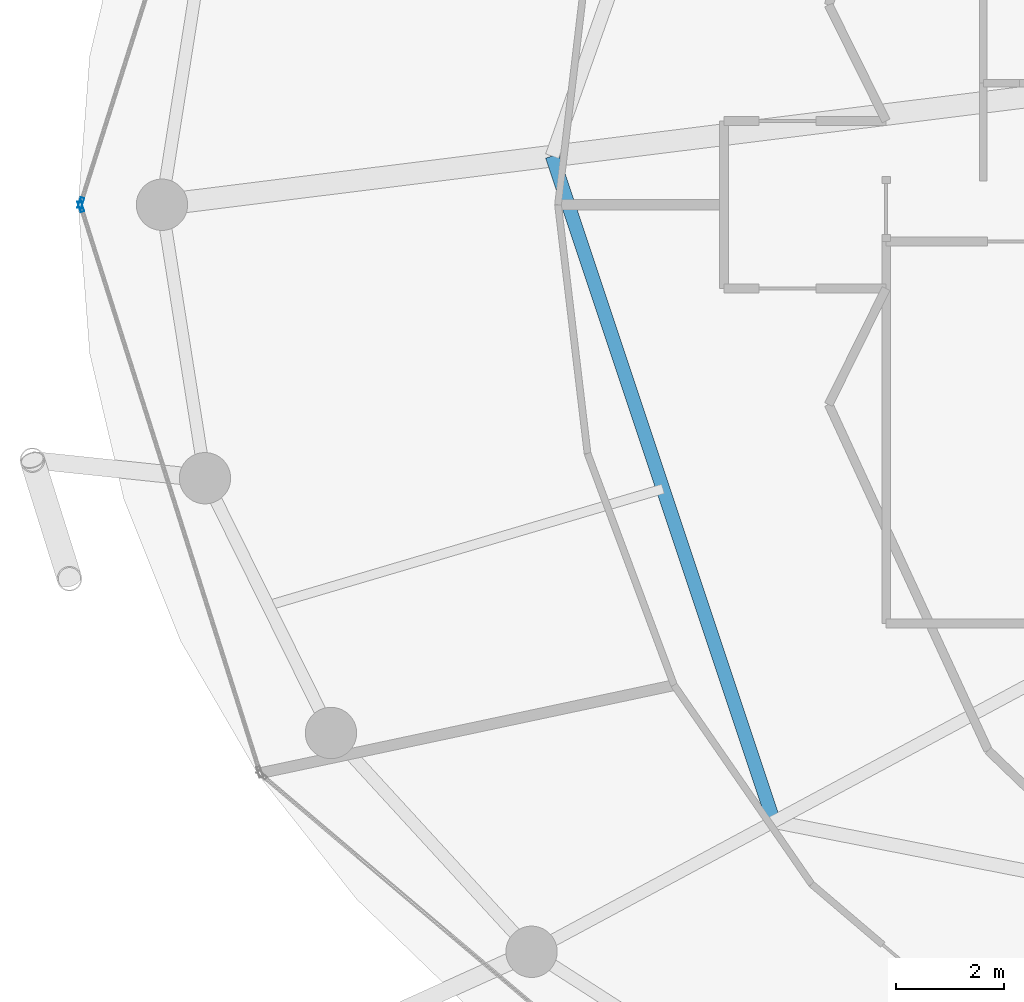
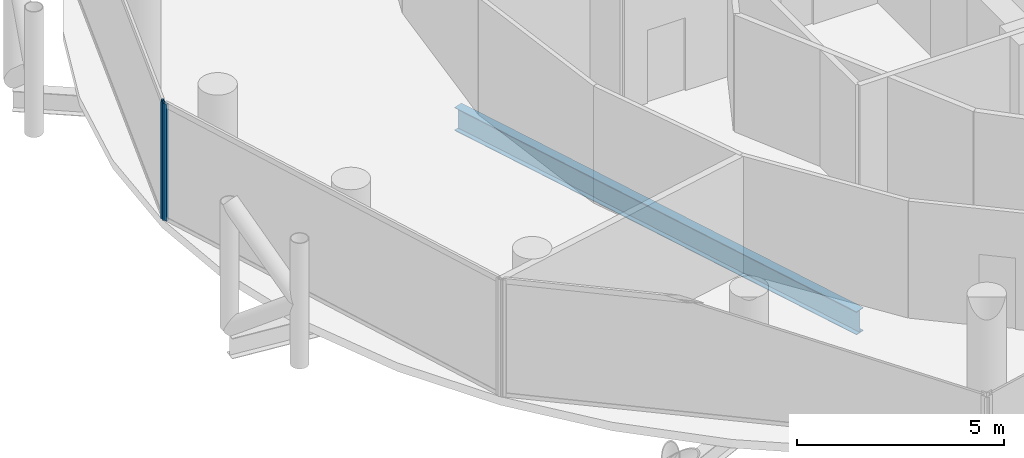
# One storey, part 6 of 26: 2 members, 1 beam, 2 elements without a shape of their own.
"""IFC4 building model written with IfcOpenShell, lengths in metres."""

import ifcopenshell
import ifcopenshell.guid

model = None  # the IFC model being written
_history = None  # IfcOwnerHistory: only IFC2X3 demands one
_inside = {}  # id of a spatial element -> (the spatial element, [elements in it])
_under = {}  # id of a project, library or spatial element -> (it, [spatial elements below it])
_declared = {}  # id of a project -> (the project, [libraries it declares])
_typed = {}  # id of a type object -> (the type object, [elements of that type])
_made_of = {}  # id of a material, layer set ... -> (it, [elements and type objects made of it])


def new_model(schema):
    """Start an empty IFC model of exactly this schema.

    Asked for "IFC4X3", IfcOpenShell would pick the latest addendum, in which some entities
    have other attributes; the version numbers below select the first issue.
    IFC2X3 requires an IfcOwnerHistory on every rooted entity: one is made here for all.
    """
    global model, _history
    if schema == "IFC4X3":
        model = ifcopenshell.file(schema_version=(4, 3, 0, 0))
    else:
        model = ifcopenshell.file(schema=schema)
    _inside.clear()
    _under.clear()
    _declared.clear()
    _typed.clear()
    _made_of.clear()
    _history = None
    if model.schema == "IFC2X3":
        org = make("IfcOrganization", Name="unknown")
        user = make(
            "IfcPersonAndOrganization",
            ThePerson=make("IfcPerson", FamilyName="unknown"),
            TheOrganization=org,
        )
        app = make(
            "IfcApplication",
            ApplicationDeveloper=org,
            Version="unknown",
            ApplicationFullName="unknown",
            ApplicationIdentifier="unknown",
        )
        _history = make(
            "IfcOwnerHistory",
            OwningUser=user,
            OwningApplication=app,
            ChangeAction="ADDED",
            CreationDate=0,
        )
    return model


def make(cls, **values):
    """One entity of the class cls with the attributes given. An attribute that is None is left unset."""
    return model.create_entity(
        cls, **{name: value for name, value in values.items() if value is not None}
    )


def rooted(cls, **values):
    """An entity with a GlobalId (a new one), such as an element, a storey or a relation."""
    return make(cls, GlobalId=ifcopenshell.guid.new(), OwnerHistory=_history, **values)


def si_unit(unit_type, name, prefix=None):
    """IfcSIUnit, for example si_unit("LENGTHUNIT", "METRE", prefix="MILLI")."""
    return make("IfcSIUnit", UnitType=unit_type, Prefix=prefix, Name=name)


def assignment(units):
    """IfcUnitAssignment: the units of a project."""
    return None if units is None else make("IfcUnitAssignment", Units=units)


def point(xyz):
    """IfcCartesianPoint."""
    return None if xyz is None else make("IfcCartesianPoint", Coordinates=xyz)


def direction(xyz):
    """IfcDirection."""
    return None if xyz is None else make("IfcDirection", DirectionRatios=xyz)


def frame(location, z_axis=None, x_axis=None):
    """IfcAxis2Placement3D, a coordinate frame: its origin and axes. An axis left out is left unset."""
    return make(
        "IfcAxis2Placement3D",
        Location=point(location),
        Axis=direction(z_axis),
        RefDirection=direction(x_axis),
    )


def frame_2d(location, x_axis=None):
    """IfcAxis2Placement2D, a coordinate frame in the plane: its origin and x axis."""
    return make(
        "IfcAxis2Placement2D", Location=point(location), RefDirection=direction(x_axis)
    )


def origin():
    """The frame at (0, 0, 0) with its axes left unset."""
    return frame((0.0, 0.0, 0.0))


def origin_2d():
    """The frame at (0, 0) in the plane with its x axis left unset."""
    return frame_2d((0.0, 0.0))


def place(relative_to, where):
    """IfcLocalPlacement: puts the frame where relative to a parent placement (None: the world)."""
    return make(
        "IfcLocalPlacement", PlacementRelTo=relative_to, RelativePlacement=where
    )


def context(
    kind, dimensions, precision=None, world=None, true_north=None, identifier=None
):
    """IfcGeometricRepresentationContext, for example the 3D "Model" context."""
    return make(
        "IfcGeometricRepresentationContext",
        ContextIdentifier=identifier,
        ContextType=kind,
        CoordinateSpaceDimension=dimensions,
        Precision=precision,
        WorldCoordinateSystem=world,
        TrueNorth=true_north,
    )


def subcontext(parent, identifier, kind, view, scale=None):
    """IfcGeometricRepresentationSubContext, for example "Body" below "Model"."""
    return make(
        "IfcGeometricRepresentationSubContext",
        ContextIdentifier=identifier,
        ContextType=kind,
        ParentContext=parent,
        TargetScale=scale,
        TargetView=view,
    )


def project(units=None, contexts=None):
    """IfcProject with its units and contexts."""
    return rooted(
        "IfcProject",
        Name="project",
        RepresentationContexts=contexts,
        UnitsInContext=assignment(units),
    )


def spatial(cls, under=None, at=None, **own):
    """A site, building, storey or space (cls), placed at a placement, below another one or the project."""
    s = rooted(cls, ObjectPlacement=at, **own)
    if under is not None:
        _under.setdefault(under.id(), (under, []))[1].append(s)
    return s


def profile(cls, at=None, kind="AREA", **sizes):
    """A parametric profile (cls). Its sizes go by their IFC names, for example OverallWidth=200.0."""
    return make(cls, ProfileType=kind, Position=at, **sizes)


def hollow_rectangle(**sizes):
    """IfcRectangleHollowProfileDef."""
    return profile("IfcRectangleHollowProfileDef", **sizes)


def i_section(**sizes):
    """IfcIShapeProfileDef."""
    return profile("IfcIShapeProfileDef", **sizes)


def extrude(swept, where, along, depth):
    """IfcExtrudedAreaSolid: the profile swept, set in the frame where, extruded along a direction by depth."""
    return make(
        "IfcExtrudedAreaSolid",
        SweptArea=swept,
        Position=where,
        ExtrudedDirection=direction(along),
        Depth=depth,
    )


def shape(context_of_items, identifier, shape_type, items):
    """IfcShapeRepresentation: the items that make up one representation, for example the "Body"."""
    return make(
        "IfcShapeRepresentation",
        ContextOfItems=context_of_items,
        RepresentationIdentifier=identifier,
        RepresentationType=shape_type,
        Items=items,
    )


def material(Name=None, Category=None):
    """IfcMaterial."""
    return make("IfcMaterial", Name=Name, Category=Category)


def layer(
    of_material, thickness, ventilated=None, Name=None, Category=None, Priority=None
):
    """IfcMaterialLayer: one layer of a wall or slab, of a material (None: an air gap)."""
    return make(
        "IfcMaterialLayer",
        Material=of_material,
        LayerThickness=thickness,
        IsVentilated=ventilated,
        Name=Name,
        Category=Category,
        Priority=Priority,
    )


def layer_set(layers, Name=None):
    """IfcMaterialLayerSet."""
    return make("IfcMaterialLayerSet", MaterialLayers=layers, LayerSetName=Name)


def material_profile(
    of_material, cross_section, Name=None, Category=None, Priority=None
):
    """IfcMaterialProfile: a cross section and its material."""
    return make(
        "IfcMaterialProfile",
        Name=Name,
        Material=of_material,
        Profile=cross_section,
        Priority=Priority,
        Category=Category,
    )


def profile_set(profiles, Name=None, composite=None):
    """IfcMaterialProfileSet."""
    return make(
        "IfcMaterialProfileSet",
        Name=Name,
        MaterialProfiles=profiles,
        CompositeProfile=composite,
    )


def made_of(thing, what):
    """Note that an element or type object is made of a material, layer set ...; save() writes the relation."""
    if what is not None:
        _made_of.setdefault(what.id(), (what, []))[1].append(thing)
    return thing


def type_object(cls, material=None, **own):
    """A type object (cls), such as IfcWallType, which elements share."""
    return made_of(rooted(cls, **own), material)


def element(
    cls,
    number,
    at=None,
    inside=None,
    cuts=None,
    type_object=None,
    material=None,
    context=None,
    identifier="Body",
    shape_type=None,
    held_by="IfcProductDefinitionShape",
    body=None,
    shapes=None,
    **own,
):
    """One element of the class cls, such as IfcWall. Its Tag is "e" and its number.

    at: its placement. inside: the storey or other place that contains it. cuts: it is an
    opening in that element (IfcRelVoidsElement). A single representation is given by context,
    identifier, shape_type and body (its items); several are given by shapes. held_by: the class
    of the entity that holds the representations. save() writes the other relations.
    """
    e = rooted(cls, Tag="e%d" % number, ObjectPlacement=at, **own)
    if body is not None:
        shapes = [shape(context, identifier, shape_type, body)]
    if shapes is not None:
        e.Representation = make(held_by, Representations=shapes)
    if inside is not None:
        _inside.setdefault(inside.id(), (inside, []))[1].append(e)
    if cuts is not None:
        rooted(
            "IfcRelVoidsElement", RelatingBuildingElement=cuts, RelatedOpeningElement=e
        )
    if type_object is not None:
        _typed.setdefault(type_object.id(), (type_object, []))[1].append(e)
    return made_of(e, material)


def aggregate(whole, parts):
    """IfcRelAggregates: a whole, such as a stair, and the parts it consists of."""
    return rooted("IfcRelAggregates", RelatingObject=whole, RelatedObjects=parts)


def save(model, path):
    """Write the relations noted so far, then the file.

    IfcRelAggregates (storeys below a building ...), IfcRelContainedInSpatialStructure (elements
    in a storey), IfcRelDefinesByType, IfcRelAssociatesMaterial and IfcRelDeclares: one each for
    every whole, place, type object, material and project.
    """
    for whole, parts in _under.values():
        aggregate(whole, parts)
    for where, things in _inside.values():
        rooted(
            "IfcRelContainedInSpatialStructure",
            RelatedElements=things,
            RelatingStructure=where,
        )
    for kind, things in _typed.values():
        rooted("IfcRelDefinesByType", RelatedObjects=things, RelatingType=kind)
    for what, things in _made_of.values():
        rooted("IfcRelAssociatesMaterial", RelatedObjects=things, RelatingMaterial=what)
    for by, libraries in _declared.values():
        rooted("IfcRelDeclares", RelatingContext=by, RelatedDefinitions=libraries)
    model.write(path)


model = new_model("IFC4")

# Units and contexts
model_context = context("Model", 3, precision=1e-05, world=origin(), true_north=direction((0.0, 1.0)))
body_context = subcontext(model_context, "Body", "Model", "MODEL_VIEW")
ifc_project = project(units=[si_unit("LENGTHUNIT", "METRE"), si_unit("AREAUNIT", "SQUARE_METRE"), si_unit("VOLUMEUNIT", "CUBIC_METRE"), si_unit("PLANEANGLEUNIT", "RADIAN"), si_unit("MASSUNIT", "GRAM", prefix="KILO")], contexts=[model_context])

# Site, building, storey
site_placement = place(None, origin())
site = spatial("IfcSite", under=ifc_project, at=site_placement, CompositionType="ELEMENT")
building_placement = place(site_placement, origin())
building = spatial("IfcBuilding", under=site, at=building_placement, Name="Nuhasar Tower", CompositionType="ELEMENT")
storey_placement = place(building_placement, frame((0.0, 0.0, 188.550048828125)))
storey = spatial("IfcBuildingStorey", under=building, at=storey_placement, Name="L46", CompositionType="ELEMENT", Elevation=188.550048828125)

# Beam
ifc_material_1 = material(Name="Steel S355", Category="steel")
ifc_material_profile_1 = material_profile(ifc_material_1, i_section(OverallWidth=0.25390625, OverallDepth=0.68408203125, WebThickness=0.012451171875, FlangeThickness=0.018798828125, at=origin_2d()), Name="W27X94")
ifc_profile_set_1 = profile_set([ifc_material_profile_1], Name="Steel S355")
beam_type = type_object("IfcBeamType", Name="BM-INRING-W27X94", PredefinedType="BEAM", material=ifc_profile_set_1)
beam_placement = place(storey_placement, frame((22.8701171875, 27.699951171875, -0.592041015625), z_axis=(0.31609797573, -0.948726551615, 0.0), x_axis=(0.948726551615, 0.31609797573, 0.0)))
element("IfcBeam", 1, at=beam_placement, inside=storey, type_object=beam_type, Name="L46 Inner Header Beam 08", PredefinedType="BEAM", context=body_context, shape_type="SweptSolid", body=[
    extrude(i_section(OverallWidth=0.25390625, OverallDepth=0.68408203125, WebThickness=0.012451171875, FlangeThickness=0.018798828125, at=origin_2d()), origin(), (0.0, 0.0, 1.0), 12.9794921875),
])

# Curtain wall, member
ifc_material_2 = material(Name="Aluminium 6063-T6", Category="aluminium")
ifc_layer = layer(ifc_material_2, 0.199951171875)
ifc_layer_set = layer_set([ifc_layer], Name="Aluminium 6063-T6")
curtain_wall_type = type_object("IfcCurtainWallType", Name="CW-Z2-HTL", PredefinedType="NOTDEFINED", material=ifc_layer_set)
curtain_wall_1_placement = place(storey_placement, origin())
curtain_wall_1 = element("IfcCurtainWall", 2, at=curtain_wall_1_placement, inside=storey, type_object=curtain_wall_type, Name="L46 Unitised Curtain Wall 06", PredefinedType="NOTDEFINED")
ifc_material_profile_2 = material_profile(ifc_material_2, hollow_rectangle(XDim=0.070068359375, YDim=0.199951171875, WallThickness=0.0048828125, at=origin_2d()), Name="CWM-3")
ifc_profile_set_2 = profile_set([ifc_material_profile_2], Name="Aluminium 6063-T6")
member_type = type_object("IfcMemberType", Name="CW-MUL-S3", PredefinedType="MULLION", material=ifc_profile_set_2)
member_1_placement = place(storey_placement, frame((14.150634765625, 26.833251953125, 0.0), z_axis=(0.0, 0.0, 1.0), x_axis=(0.953433389233, -0.301603667577, 0.0)))
member_1 = element("IfcMember", 3, at=member_1_placement, type_object=member_type, Name="CW-Z2 mullion 2", PredefinedType="MULLION", context=body_context, shape_type="SweptSolid", body=[
    extrude(hollow_rectangle(XDim=0.070068359375, YDim=0.199951171875, WallThickness=0.0048828125, at=origin_2d()), origin(), (0.0, 0.0, 1.0), 3.449951171875),
])
aggregate(curtain_wall_1, [member_1])

curtain_wall_2_placement = place(storey_placement, origin())
curtain_wall_2 = element("IfcCurtainWall", 4, at=curtain_wall_2_placement, inside=storey, type_object=curtain_wall_type, Name="L46 Unitised Curtain Wall 07", PredefinedType="NOTDEFINED")
member_2_placement = place(storey_placement, frame((14.150634765625, 26.7666015625, 0.0), z_axis=(0.0, 0.0, 1.0), x_axis=(0.953433389233, 0.301603667577, 0.0)))
member_2 = element("IfcMember", 5, at=member_2_placement, type_object=member_type, Name="CW-Z2 mullion 1", PredefinedType="MULLION", context=body_context, shape_type="SweptSolid", body=[
    extrude(hollow_rectangle(XDim=0.070068359375, YDim=0.199951171875, WallThickness=0.0048828125, at=origin_2d()), origin(), (0.0, 0.0, 1.0), 3.449951171875),
])
aggregate(curtain_wall_2, [member_2])

save(model, "model.ifc")
